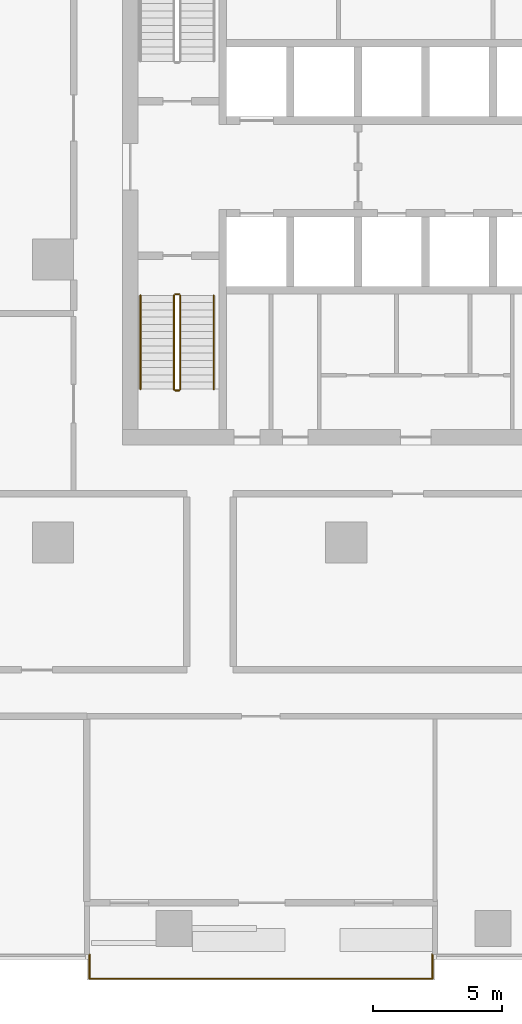
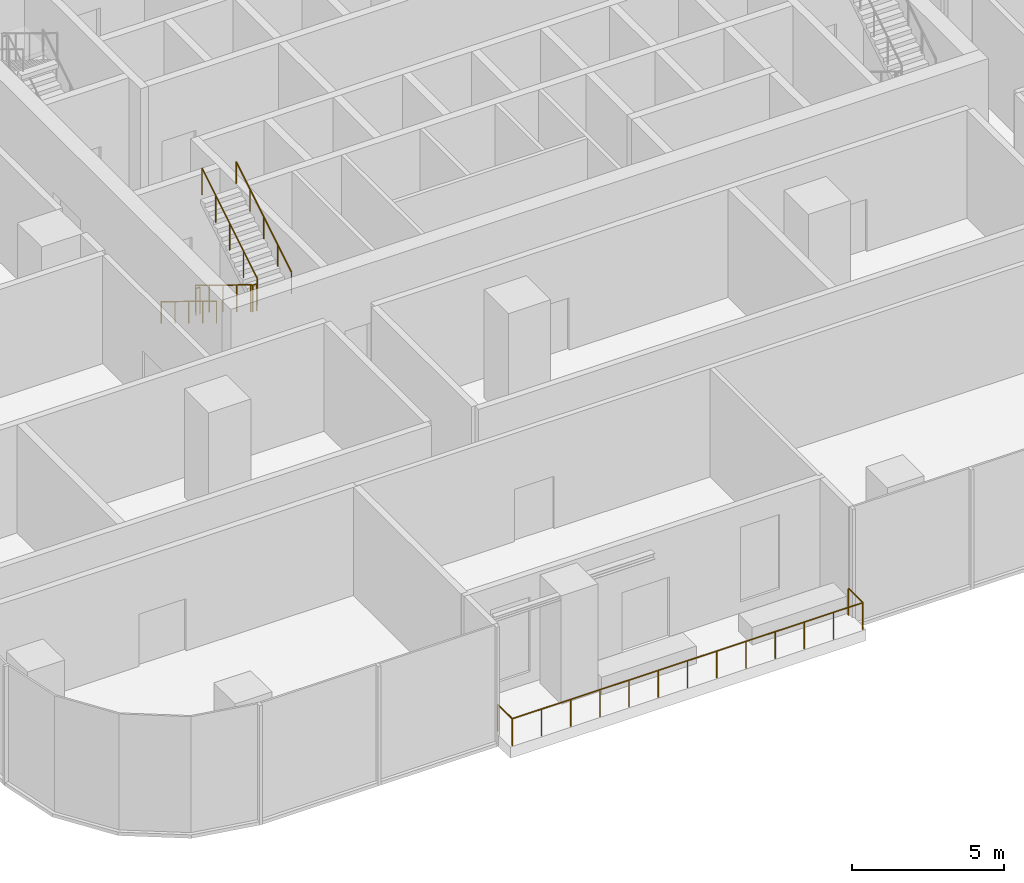
# One storey, part 12 of 15: 6 railings.
"""IFC4 building model written with IfcOpenShell, lengths in metres."""

import ifcopenshell
import ifcopenshell.guid

model = None  # the IFC model being written
_history = None  # IfcOwnerHistory: only IFC2X3 demands one
_inside = {}  # id of a spatial element -> (the spatial element, [elements in it])
_under = {}  # id of a project, library or spatial element -> (it, [spatial elements below it])
_declared = {}  # id of a project -> (the project, [libraries it declares])
_typed = {}  # id of a type object -> (the type object, [elements of that type])
_made_of = {}  # id of a material, layer set ... -> (it, [elements and type objects made of it])


def new_model(schema):
    """Start an empty IFC model of exactly this schema.

    Asked for "IFC4X3", IfcOpenShell would pick the latest addendum, in which some entities
    have other attributes; the version numbers below select the first issue.
    IFC2X3 requires an IfcOwnerHistory on every rooted entity: one is made here for all.
    """
    global model, _history
    if schema == "IFC4X3":
        model = ifcopenshell.file(schema_version=(4, 3, 0, 0))
    else:
        model = ifcopenshell.file(schema=schema)
    _inside.clear()
    _under.clear()
    _declared.clear()
    _typed.clear()
    _made_of.clear()
    _history = None
    if model.schema == "IFC2X3":
        org = make("IfcOrganization", Name="unknown")
        user = make(
            "IfcPersonAndOrganization",
            ThePerson=make("IfcPerson", FamilyName="unknown"),
            TheOrganization=org,
        )
        app = make(
            "IfcApplication",
            ApplicationDeveloper=org,
            Version="unknown",
            ApplicationFullName="unknown",
            ApplicationIdentifier="unknown",
        )
        _history = make(
            "IfcOwnerHistory",
            OwningUser=user,
            OwningApplication=app,
            ChangeAction="ADDED",
            CreationDate=0,
        )
    return model


def make(cls, **values):
    """One entity of the class cls with the attributes given. An attribute that is None is left unset."""
    return model.create_entity(
        cls, **{name: value for name, value in values.items() if value is not None}
    )


def rooted(cls, **values):
    """An entity with a GlobalId (a new one), such as an element, a storey or a relation."""
    return make(cls, GlobalId=ifcopenshell.guid.new(), OwnerHistory=_history, **values)


def si_unit(unit_type, name, prefix=None):
    """IfcSIUnit, for example si_unit("LENGTHUNIT", "METRE", prefix="MILLI")."""
    return make("IfcSIUnit", UnitType=unit_type, Prefix=prefix, Name=name)


def assignment(units):
    """IfcUnitAssignment: the units of a project."""
    return None if units is None else make("IfcUnitAssignment", Units=units)


def point(xyz):
    """IfcCartesianPoint."""
    return None if xyz is None else make("IfcCartesianPoint", Coordinates=xyz)


def direction(xyz):
    """IfcDirection."""
    return None if xyz is None else make("IfcDirection", DirectionRatios=xyz)


def frame(location, z_axis=None, x_axis=None):
    """IfcAxis2Placement3D, a coordinate frame: its origin and axes. An axis left out is left unset."""
    return make(
        "IfcAxis2Placement3D",
        Location=point(location),
        Axis=direction(z_axis),
        RefDirection=direction(x_axis),
    )


def frame_2d(location, x_axis=None):
    """IfcAxis2Placement2D, a coordinate frame in the plane: its origin and x axis."""
    return make(
        "IfcAxis2Placement2D", Location=point(location), RefDirection=direction(x_axis)
    )


def origin():
    """The frame at (0, 0, 0) with its axes left unset."""
    return frame((0.0, 0.0, 0.0))


def origin_2d():
    """The frame at (0, 0) in the plane with its x axis left unset."""
    return frame_2d((0.0, 0.0))


def place(relative_to, where):
    """IfcLocalPlacement: puts the frame where relative to a parent placement (None: the world)."""
    return make(
        "IfcLocalPlacement", PlacementRelTo=relative_to, RelativePlacement=where
    )


def context(
    kind, dimensions, precision=None, world=None, true_north=None, identifier=None
):
    """IfcGeometricRepresentationContext, for example the 3D "Model" context."""
    return make(
        "IfcGeometricRepresentationContext",
        ContextIdentifier=identifier,
        ContextType=kind,
        CoordinateSpaceDimension=dimensions,
        Precision=precision,
        WorldCoordinateSystem=world,
        TrueNorth=true_north,
    )


def subcontext(parent, identifier, kind, view, scale=None):
    """IfcGeometricRepresentationSubContext, for example "Body" below "Model"."""
    return make(
        "IfcGeometricRepresentationSubContext",
        ContextIdentifier=identifier,
        ContextType=kind,
        ParentContext=parent,
        TargetScale=scale,
        TargetView=view,
    )


def project(units=None, contexts=None):
    """IfcProject with its units and contexts."""
    return rooted(
        "IfcProject",
        Name="project",
        RepresentationContexts=contexts,
        UnitsInContext=assignment(units),
    )


def spatial(cls, under=None, at=None, **own):
    """A site, building, storey or space (cls), placed at a placement, below another one or the project."""
    s = rooted(cls, ObjectPlacement=at, **own)
    if under is not None:
        _under.setdefault(under.id(), (under, []))[1].append(s)
    return s


def profile(cls, at=None, kind="AREA", **sizes):
    """A parametric profile (cls). Its sizes go by their IFC names, for example OverallWidth=200.0."""
    return make(cls, ProfileType=kind, Position=at, **sizes)


def circle(**sizes):
    """IfcCircleProfileDef."""
    return profile("IfcCircleProfileDef", **sizes)


def extrude(swept, where, along, depth):
    """IfcExtrudedAreaSolid: the profile swept, set in the frame where, extruded along a direction by depth."""
    return make(
        "IfcExtrudedAreaSolid",
        SweptArea=swept,
        Position=where,
        ExtrudedDirection=direction(along),
        Depth=depth,
    )


def shape(context_of_items, identifier, shape_type, items):
    """IfcShapeRepresentation: the items that make up one representation, for example the "Body"."""
    return make(
        "IfcShapeRepresentation",
        ContextOfItems=context_of_items,
        RepresentationIdentifier=identifier,
        RepresentationType=shape_type,
        Items=items,
    )


def material(Name=None, Category=None):
    """IfcMaterial."""
    return make("IfcMaterial", Name=Name, Category=Category)


def made_of(thing, what):
    """Note that an element or type object is made of a material, layer set ...; save() writes the relation."""
    if what is not None:
        _made_of.setdefault(what.id(), (what, []))[1].append(thing)
    return thing


def type_object(cls, material=None, **own):
    """A type object (cls), such as IfcWallType, which elements share."""
    return made_of(rooted(cls, **own), material)


def element(
    cls,
    number,
    at=None,
    inside=None,
    cuts=None,
    type_object=None,
    material=None,
    context=None,
    identifier="Body",
    shape_type=None,
    held_by="IfcProductDefinitionShape",
    body=None,
    shapes=None,
    **own,
):
    """One element of the class cls, such as IfcWall. Its Tag is "e" and its number.

    at: its placement. inside: the storey or other place that contains it. cuts: it is an
    opening in that element (IfcRelVoidsElement). A single representation is given by context,
    identifier, shape_type and body (its items); several are given by shapes. held_by: the class
    of the entity that holds the representations. save() writes the other relations.
    """
    e = rooted(cls, Tag="e%d" % number, ObjectPlacement=at, **own)
    if body is not None:
        shapes = [shape(context, identifier, shape_type, body)]
    if shapes is not None:
        e.Representation = make(held_by, Representations=shapes)
    if inside is not None:
        _inside.setdefault(inside.id(), (inside, []))[1].append(e)
    if cuts is not None:
        rooted(
            "IfcRelVoidsElement", RelatingBuildingElement=cuts, RelatedOpeningElement=e
        )
    if type_object is not None:
        _typed.setdefault(type_object.id(), (type_object, []))[1].append(e)
    return made_of(e, material)


def aggregate(whole, parts):
    """IfcRelAggregates: a whole, such as a stair, and the parts it consists of."""
    return rooted("IfcRelAggregates", RelatingObject=whole, RelatedObjects=parts)


def save(model, path):
    """Write the relations noted so far, then the file.

    IfcRelAggregates (storeys below a building ...), IfcRelContainedInSpatialStructure (elements
    in a storey), IfcRelDefinesByType, IfcRelAssociatesMaterial and IfcRelDeclares: one each for
    every whole, place, type object, material and project.
    """
    for whole, parts in _under.values():
        aggregate(whole, parts)
    for where, things in _inside.values():
        rooted(
            "IfcRelContainedInSpatialStructure",
            RelatedElements=things,
            RelatingStructure=where,
        )
    for kind, things in _typed.values():
        rooted("IfcRelDefinesByType", RelatedObjects=things, RelatingType=kind)
    for what, things in _made_of.values():
        rooted("IfcRelAssociatesMaterial", RelatedObjects=things, RelatingMaterial=what)
    for by, libraries in _declared.values():
        rooted("IfcRelDeclares", RelatingContext=by, RelatedDefinitions=libraries)
    model.write(path)


model = new_model("IFC4")

# Units and contexts
model_context = context("Model", 3, precision=1e-05, world=origin(), true_north=direction((0.0, 1.0)))
body_context = subcontext(model_context, "Body", "Model", "MODEL_VIEW")
ifc_project = project(units=[si_unit("LENGTHUNIT", "METRE"), si_unit("AREAUNIT", "SQUARE_METRE"), si_unit("VOLUMEUNIT", "CUBIC_METRE"), si_unit("PLANEANGLEUNIT", "RADIAN"), si_unit("MASSUNIT", "GRAM", prefix="KILO")], contexts=[model_context])

# Site, building, storey
site_placement = place(None, origin())
site = spatial("IfcSite", under=ifc_project, at=site_placement, CompositionType="ELEMENT")
building_placement = place(site_placement, origin())
building = spatial("IfcBuilding", under=site, at=building_placement, Name="Mopane Tessera Tower", CompositionType="ELEMENT")
storey_placement = place(building_placement, frame((0.0, 0.0, 64.60009765625)))
storey = spatial("IfcBuildingStorey", under=building, at=storey_placement, Name="L12", CompositionType="ELEMENT", Elevation=64.60009765625)

# Railings
ifc_material_1 = material(Name="Powder-coated steel balustrade", Category="steel")
railing_type_1 = type_object("IfcRailingType", Name="Escape stair guard 1100 mm", PredefinedType="GUARDRAIL", material=ifc_material_1)
railing_1_placement = place(storey_placement, frame((-12.39990234375, -1.39990234375, 0.17138671875)))
element("IfcRailing", 1, at=railing_1_placement, inside=storey, type_object=railing_type_1, Name="L12 ST1 stair guard 1", PredefinedType="GUARDRAIL", context=body_context, shape_type="SweptSolid", body=[
    extrude(circle(Radius=0.02392578125, at=origin_2d()), frame((0.0, 0.0, 1.076171875), z_axis=(0.0, -0.852865859571, 0.52213008492), x_axis=(1.0, 0.0, 0.0)), (0.0, 0.0, 1.0), 4.26806640625),
    extrude(circle(Radius=0.02392578125, at=origin_2d()), frame((0.0, -3.64013671875, 3.3046875), z_axis=(0.705375805398, -0.708833529934, 0.0), x_axis=(0.708833529934, 0.705375805398, 0.0)), (0.0, 0.0, 1.0), 0.070556640625),
    extrude(circle(Radius=0.02392578125, at=origin_2d()), frame((0.0498046875, -3.690185546875, 3.3046875), z_axis=(1.0, 0.0, 0.0), x_axis=(0.0, 1.0, 0.0)), (0.0, 0.0, 1.0), 0.150146484375),
    extrude(circle(Radius=0.02099609375, at=origin_2d()), origin(), (0.0, 0.0, 1.0), 1.052001953125),
    extrude(circle(Radius=0.02099609375, at=origin_2d()), frame((0.0, -0.91015625, 0.55712890625)), (0.0, 0.0, 1.0), 1.052001953125),
    extrude(circle(Radius=0.02099609375, at=origin_2d()), frame((0.0, -1.820068359375, 1.1142578125)), (0.0, 0.0, 1.0), 1.052001953125),
    extrude(circle(Radius=0.02099609375, at=origin_2d()), frame((0.0, -2.72998046875, 1.67138671875)), (0.0, 0.0, 1.0), 1.052001953125),
    extrude(circle(Radius=0.02099609375, at=origin_2d()), frame((0.0, -3.64013671875, 2.228515625)), (0.0, 0.0, 1.0), 1.052001953125),
    extrude(circle(Radius=0.02099609375, at=origin_2d()), frame((0.0498046875, -3.690185546875, 2.228515625)), (0.0, 0.0, 1.0), 1.052001953125),
    extrude(circle(Radius=0.02099609375, at=origin_2d()), frame((0.199951171875, -3.690185546875, 2.228515625)), (0.0, 0.0, 1.0), 1.052001953125),
])
railing_2_placement = place(storey_placement, frame((-12.14990234375, -5.0400390625, 2.5712890625)))
element("IfcRailing", 2, at=railing_2_placement, inside=storey, type_object=railing_type_1, Name="L12 ST1 stair guard 2", PredefinedType="GUARDRAIL", context=body_context, shape_type="SweptSolid", body=[
    extrude(circle(Radius=0.02392578125, at=origin_2d()), frame((0.0, 0.0, 1.076171875), z_axis=(0.0, 0.852865859571, 0.52213008492), x_axis=(-1.0, 0.0, 0.0)), (0.0, 0.0, 1.0), 4.26806640625),
    extrude(circle(Radius=0.02099609375, at=origin_2d()), origin(), (0.0, 0.0, 1.0), 1.052001953125),
    extrude(circle(Radius=0.02099609375, at=origin_2d()), frame((0.0, 0.91015625, 0.55712890625)), (0.0, 0.0, 1.0), 1.052001953125),
    extrude(circle(Radius=0.02099609375, at=origin_2d()), frame((0.0, 1.820068359375, 1.1142578125)), (0.0, 0.0, 1.0), 1.052001953125),
    extrude(circle(Radius=0.02099609375, at=origin_2d()), frame((0.0, 2.72998046875, 1.67138671875)), (0.0, 0.0, 1.0), 1.052001953125),
    extrude(circle(Radius=0.02099609375, at=origin_2d()), frame((0.0, 3.64013671875, 2.228515625)), (0.0, 0.0, 1.0), 1.052001953125),
])
railing_3_placement = place(storey_placement, frame((-12.35009765625, -1.35009765625, 0.0)))
element("IfcRailing", 3, at=railing_3_placement, inside=storey, type_object=railing_type_1, Name="L12 ST1 stair guard 3", PredefinedType="GUARDRAIL", context=body_context, shape_type="SweptSolid", body=[
    extrude(circle(Radius=0.02392578125, at=origin_2d()), frame((0.0, 0.0, 1.076171875), z_axis=(1.0, 0.0, 0.0), x_axis=(0.0, 1.0, 0.0)), (0.0, 0.0, 1.0), 0.150146484375),
    extrude(circle(Radius=0.02099609375, at=origin_2d()), origin(), (0.0, 0.0, 1.0), 1.052001953125),
    extrude(circle(Radius=0.02099609375, at=origin_2d()), frame((0.150146484375, 0.0, 0.0)), (0.0, 0.0, 1.0), 1.052001953125),
])
ifc_material_2 = material(Name="Powder-coated steel balustrade", Category="steel")
railing_type_2 = type_object("IfcRailingType", Name="Escape stair handrail 900 mm", PredefinedType="HANDRAIL", material=ifc_material_2)
railing_4_placement = place(storey_placement, frame((-13.699951171875, -1.39990234375, 0.17138671875)))
element("IfcRailing", 4, at=railing_4_placement, inside=storey, type_object=railing_type_2, Name="L12 ST1 stair handrail 1", PredefinedType="HANDRAIL", context=body_context, shape_type="SweptSolid", body=[
    extrude(circle(Radius=0.02392578125, at=origin_2d()), frame((0.0, 0.0, 0.8759765625), z_axis=(0.0, -0.852865859571, 0.52213008492), x_axis=(1.0, 0.0, 0.0)), (0.0, 0.0, 1.0), 4.26806640625),
    extrude(circle(Radius=0.02099609375, at=origin_2d()), origin(), (0.0, 0.0, 1.0), 0.851806640625),
    extrude(circle(Radius=0.02099609375, at=origin_2d()), frame((0.0, -0.91015625, 0.55712890625)), (0.0, 0.0, 1.0), 0.851806640625),
    extrude(circle(Radius=0.02099609375, at=origin_2d()), frame((0.0, -1.820068359375, 1.1142578125)), (0.0, 0.0, 1.0), 0.851806640625),
    extrude(circle(Radius=0.02099609375, at=origin_2d()), frame((0.0, -2.72998046875, 1.67138671875)), (0.0, 0.0, 1.0), 0.851806640625),
    extrude(circle(Radius=0.02099609375, at=origin_2d()), frame((0.0, -3.64013671875, 2.228515625)), (0.0, 0.0, 1.0), 0.851806640625),
])
railing_5_placement = place(storey_placement, frame((-10.85009765625, -5.0400390625, 2.5712890625)))
element("IfcRailing", 5, at=railing_5_placement, inside=storey, type_object=railing_type_2, Name="L12 ST1 stair handrail 2", PredefinedType="HANDRAIL", context=body_context, shape_type="SweptSolid", body=[
    extrude(circle(Radius=0.02392578125, at=origin_2d()), frame((0.0, 0.0, 0.8759765625), z_axis=(0.0, 0.852865859571, 0.52213008492), x_axis=(-1.0, 0.0, 0.0)), (0.0, 0.0, 1.0), 4.26806640625),
    extrude(circle(Radius=0.02099609375, at=origin_2d()), origin(), (0.0, 0.0, 1.0), 0.851806640625),
    extrude(circle(Radius=0.02099609375, at=origin_2d()), frame((0.0, 0.91015625, 0.55712890625)), (0.0, 0.0, 1.0), 0.851806640625),
    extrude(circle(Radius=0.02099609375, at=origin_2d()), frame((0.0, 1.820068359375, 1.1142578125)), (0.0, 0.0, 1.0), 0.851806640625),
    extrude(circle(Radius=0.02099609375, at=origin_2d()), frame((0.0, 2.72998046875, 1.67138671875)), (0.0, 0.0, 1.0), 0.851806640625),
    extrude(circle(Radius=0.02099609375, at=origin_2d()), frame((0.0, 3.64013671875, 2.228515625)), (0.0, 0.0, 1.0), 0.851806640625),
])
ifc_material_3 = material(Name="Stainless steel S316", Category="steel")
railing_type_3 = type_object("IfcRailingType", Name="Terrace guard 1100", PredefinedType="GUARDRAIL", material=ifc_material_3)
railing_6_placement = place(storey_placement, frame((-15.681884765625, -27.0, 0.0)))
element("IfcRailing", 6, at=railing_6_placement, inside=storey, type_object=railing_type_3, Name="e:nw:L12:N3:guard", PredefinedType="GUARDRAIL", context=body_context, shape_type="SweptSolid", body=[
    extrude(circle(Radius=0.02392578125, at=origin_2d()), frame((0.0, 0.0, 1.076171875), z_axis=(0.0, -1.0, 0.0), x_axis=(1.0, 0.0, 0.0)), (0.0, 0.0, 1.0), 0.949951171875),
    extrude(circle(Radius=0.02392578125, at=origin_2d()), frame((0.0, -0.949951171875, 1.076171875), z_axis=(1.0, 0.0, 0.0), x_axis=(0.0, 1.0, 0.0)), (0.0, 0.0, 1.0), 13.327392578125),
    extrude(circle(Radius=0.02392578125, at=origin_2d()), frame((13.327392578125, -0.949951171875, 1.076171875), z_axis=(0.0, 1.0, 0.0), x_axis=(-1.0, 0.0, 0.0)), (0.0, 0.0, 1.0), 0.949951171875),
    extrude(circle(Radius=0.02099609375, at=origin_2d()), origin(), (0.0, 0.0, 1.0), 1.052001953125),
    extrude(circle(Radius=0.02099609375, at=origin_2d()), frame((0.0, -0.949951171875, 0.0)), (0.0, 0.0, 1.0), 1.052001953125),
    extrude(circle(Radius=0.02099609375, at=origin_2d()), frame((1.110595703125, -0.949951171875, 0.0)), (0.0, 0.0, 1.0), 1.052001953125),
    extrude(circle(Radius=0.02099609375, at=origin_2d()), frame((2.22119140625, -0.949951171875, 0.0)), (0.0, 0.0, 1.0), 1.052001953125),
    extrude(circle(Radius=0.02099609375, at=origin_2d()), frame((3.331787109375, -0.949951171875, 0.0)), (0.0, 0.0, 1.0), 1.052001953125),
    extrude(circle(Radius=0.02099609375, at=origin_2d()), frame((4.4423828125, -0.949951171875, 0.0)), (0.0, 0.0, 1.0), 1.052001953125),
    extrude(circle(Radius=0.02099609375, at=origin_2d()), frame((5.552978515625, -0.949951171875, 0.0)), (0.0, 0.0, 1.0), 1.052001953125),
    extrude(circle(Radius=0.02099609375, at=origin_2d()), frame((6.66357421875, -0.949951171875, 0.0)), (0.0, 0.0, 1.0), 1.052001953125),
    extrude(circle(Radius=0.02099609375, at=origin_2d()), frame((7.7744140625, -0.949951171875, 0.0)), (0.0, 0.0, 1.0), 1.052001953125),
    extrude(circle(Radius=0.02099609375, at=origin_2d()), frame((8.885009765625, -0.949951171875, 0.0)), (0.0, 0.0, 1.0), 1.052001953125),
    extrude(circle(Radius=0.02099609375, at=origin_2d()), frame((9.99560546875, -0.949951171875, 0.0)), (0.0, 0.0, 1.0), 1.052001953125),
    extrude(circle(Radius=0.02099609375, at=origin_2d()), frame((11.106201171875, -0.949951171875, 0.0)), (0.0, 0.0, 1.0), 1.052001953125),
    extrude(circle(Radius=0.02099609375, at=origin_2d()), frame((12.216796875, -0.949951171875, 0.0)), (0.0, 0.0, 1.0), 1.052001953125),
    extrude(circle(Radius=0.02099609375, at=origin_2d()), frame((13.327392578125, -0.949951171875, 0.0)), (0.0, 0.0, 1.0), 1.052001953125),
    extrude(circle(Radius=0.02099609375, at=origin_2d()), frame((13.327392578125, 0.0, 0.0)), (0.0, 0.0, 1.0), 1.052001953125),
])

save(model, "model.ifc")
